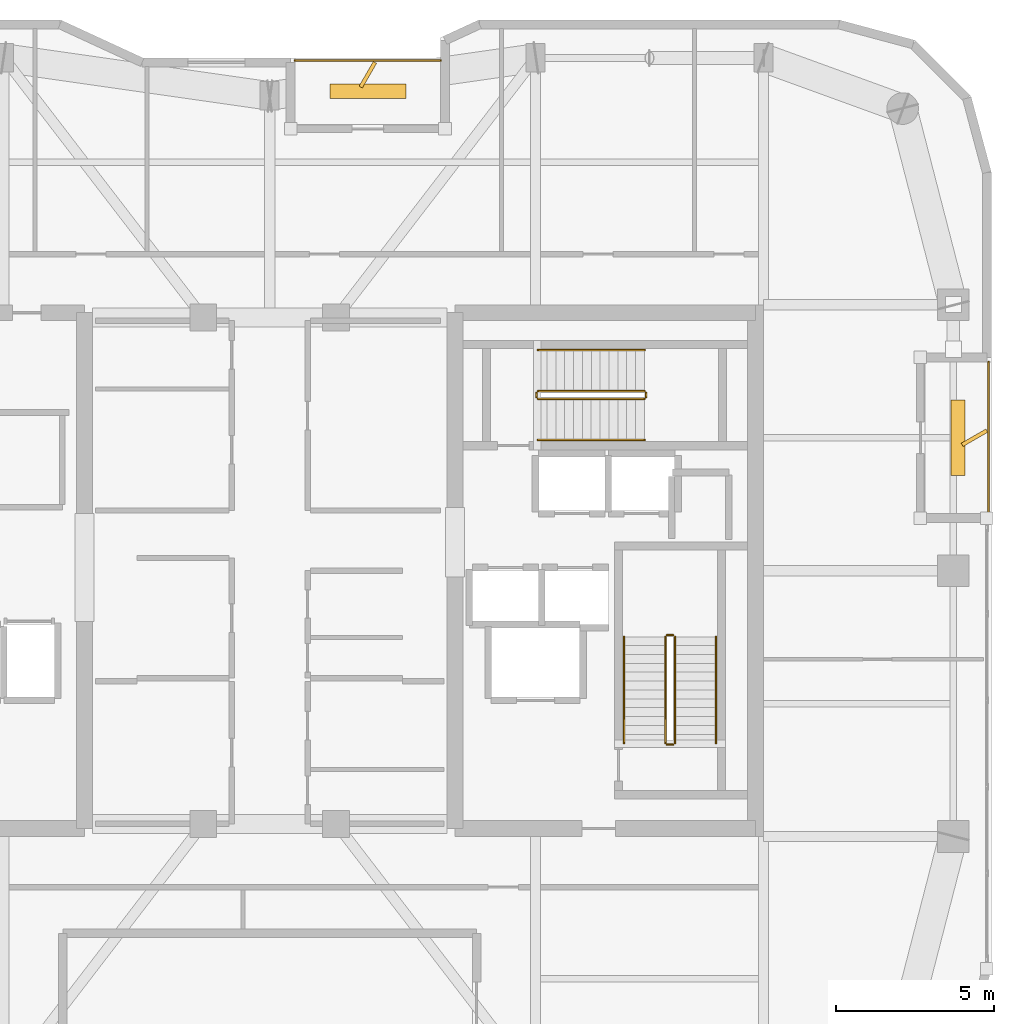
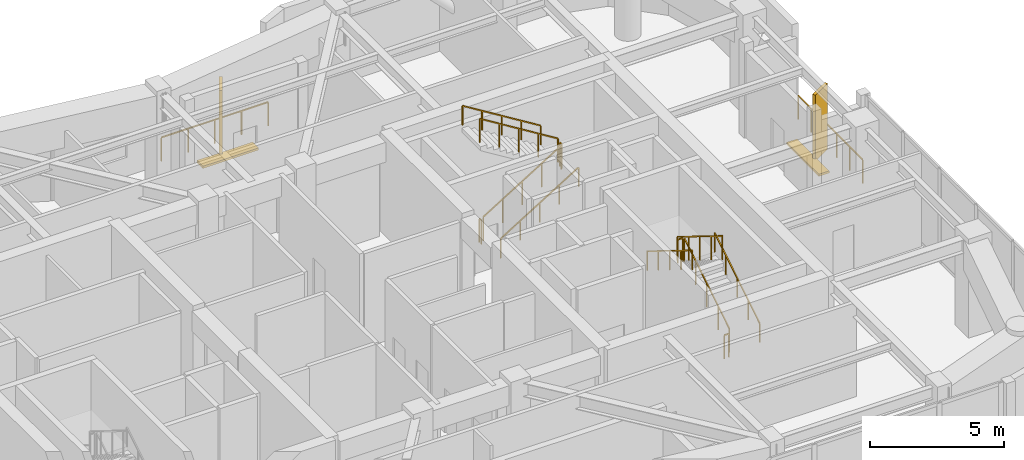
# One storey, part 14 of 14: 14 railings, 4 shading devices.
"""IFC4 building model written with IfcOpenShell, lengths in metres."""

from ifc_helpers import new_model, si_unit, direction, frame, origin, origin_2d, place, context, subcontext, project, spatial, rectangle, extrude, material, type_object, element, save


model = new_model("IFC4")

# Units and contexts
model_context = context("Model", 3, precision=1e-05, world=origin(), true_north=direction((0.0, 1.0)))
body_context = subcontext(model_context, "Body", "Model", "MODEL_VIEW")
ifc_project = project(units=[si_unit("LENGTHUNIT", "METRE"), si_unit("AREAUNIT", "SQUARE_METRE"), si_unit("VOLUMEUNIT", "CUBIC_METRE"), si_unit("PLANEANGLEUNIT", "RADIAN"), si_unit("MASSUNIT", "GRAM", prefix="KILO")], contexts=[model_context])

# Site, building, storey
site_placement = place(None, origin())
site = spatial("IfcSite", under=ifc_project, at=site_placement, CompositionType="ELEMENT")
building_placement = place(site_placement, origin())
building = spatial("IfcBuilding", under=site, at=building_placement, Name="Kiyonajd Concourse Tower", CompositionType="ELEMENT")
storey_placement = place(building_placement, frame((0.0, 0.0, 294.0)))
storey = spatial("IfcBuildingStorey", under=building, at=storey_placement, Name="L74", CompositionType="ELEMENT", Elevation=294.0)

# Railings
ifc_material_1 = material(Name="Thermally Broken Anodised Aluminium", Category="aluminium")
railing_type_1 = type_object("IfcRailingType", Name="RL-GRD-LOG", PredefinedType="GUARDRAIL", material=ifc_material_1)
railing_1_placement = place(storey_placement, frame((53.39990234375, 52.1201171875, 0.0)))
element("IfcRailing", 1, at=railing_1_placement, inside=storey, type_object=railing_type_1, Name="L74 Engawa Loggia Perimeter Guard LOG-N", PredefinedType="GUARDRAIL", context=body_context, shape_type="SweptSolid", body=[
    extrude(rectangle(XDim=0.048095703125, YDim=0.048095703125, at=origin_2d()), frame((0.0, 0.0, 1.076171875), z_axis=(-1.0, 0.0, 0.0), x_axis=(0.0, -1.0, 0.0)), (0.0, 0.0, 1.0), 4.599853515625),
    extrude(rectangle(XDim=0.0419921875, YDim=0.0419921875, at=origin_2d()), origin(), (0.0, 0.0, 1.0), 1.052001953125),
    extrude(rectangle(XDim=0.0419921875, YDim=0.0419921875, at=origin_2d()), frame((-1.14990234375, 0.0, 0.0)), (0.0, 0.0, 1.0), 1.052001953125),
    extrude(rectangle(XDim=0.0419921875, YDim=0.0419921875, at=origin_2d()), frame((-2.2998046875, 0.0, 0.0)), (0.0, 0.0, 1.0), 1.052001953125),
    extrude(rectangle(XDim=0.0419921875, YDim=0.0419921875, at=origin_2d()), frame((-3.449951171875, 0.0, 0.0)), (0.0, 0.0, 1.0), 1.052001953125),
    extrude(rectangle(XDim=0.0419921875, YDim=0.0419921875, at=origin_2d()), frame((-4.599853515625, 0.0, 0.0)), (0.0, 0.0, 1.0), 1.052001953125),
])
railing_2_placement = place(storey_placement, frame((70.719970703125, 37.800048828125, 0.0)))
element("IfcRailing", 2, at=railing_2_placement, inside=storey, type_object=railing_type_1, Name="L74 Engawa Loggia Perimeter Guard LOG-E", PredefinedType="GUARDRAIL", context=body_context, shape_type="SweptSolid", body=[
    extrude(rectangle(XDim=0.048095703125, YDim=0.048095703125, at=origin_2d()), frame((0.0, 0.0, 1.076171875), z_axis=(0.0, 1.0, 0.0), x_axis=(-1.0, 0.0, 0.0)), (0.0, 0.0, 1.0), 4.800048828125),
    extrude(rectangle(XDim=0.0419921875, YDim=0.0419921875, at=origin_2d()), origin(), (0.0, 0.0, 1.0), 1.052001953125),
    extrude(rectangle(XDim=0.0419921875, YDim=0.0419921875, at=origin_2d()), frame((0.0, 0.9599609375, 0.0)), (0.0, 0.0, 1.0), 1.052001953125),
    extrude(rectangle(XDim=0.0419921875, YDim=0.0419921875, at=origin_2d()), frame((0.0, 1.919921875, 0.0)), (0.0, 0.0, 1.0), 1.052001953125),
    extrude(rectangle(XDim=0.0419921875, YDim=0.0419921875, at=origin_2d()), frame((0.0, 2.880126953125, 0.0)), (0.0, 0.0, 1.0), 1.052001953125),
    extrude(rectangle(XDim=0.0419921875, YDim=0.0419921875, at=origin_2d()), frame((0.0, 3.840087890625, 0.0)), (0.0, 0.0, 1.0), 1.052001953125),
    extrude(rectangle(XDim=0.0419921875, YDim=0.0419921875, at=origin_2d()), frame((0.0, 4.800048828125, 0.0)), (0.0, 0.0, 1.0), 1.052001953125),
])
ifc_material_2 = material(Name="Steel ASTM A500 Grade C", Category="steel")
railing_type_2 = type_object("IfcRailingType", Name="RL-GRD-STR", PredefinedType="GUARDRAIL", material=ifc_material_2)
railing_3_placement = place(storey_placement, frame((60.800048828125, 30.550048828125, 0.173095703125)))
element("IfcRailing", 3, at=railing_3_placement, inside=storey, type_object=railing_type_2, Name="L74 ST2 stair guard 1", PredefinedType="GUARDRAIL", context=body_context, shape_type="SweptSolid", body=[
    extrude(rectangle(XDim=0.048095703125, YDim=0.048095703125, at=origin_2d()), frame((0.0, 0.0, 1.076171875), z_axis=(0.0, 0.850606129759, 0.525803396734), x_axis=(-1.0, 0.0, 0.0)), (0.0, 0.0, 1.0), 3.949951171875),
    extrude(rectangle(XDim=0.0419921875, YDim=0.0419921875, at=origin_2d()), origin(), (0.0, 0.0, 1.0), 1.052001953125),
    extrude(rectangle(XDim=0.0419921875, YDim=0.0419921875, at=origin_2d()), frame((0.0, 0.83984375, 0.519287109375)), (0.0, 0.0, 1.0), 1.052001953125),
    extrude(rectangle(XDim=0.0419921875, YDim=0.0419921875, at=origin_2d()), frame((0.0, 1.679931640625, 1.03857421875)), (0.0, 0.0, 1.0), 1.052001953125),
    extrude(rectangle(XDim=0.0419921875, YDim=0.0419921875, at=origin_2d()), frame((0.0, 2.52001953125, 1.5576171875)), (0.0, 0.0, 1.0), 1.052001953125),
    extrude(rectangle(XDim=0.0419921875, YDim=0.0419921875, at=origin_2d()), frame((0.0, 3.35986328125, 2.076904296875)), (0.0, 0.0, 1.0), 1.052001953125),
])
railing_4_placement = place(storey_placement, frame((60.75, 33.9599609375, 2.25)))
element("IfcRailing", 4, at=railing_4_placement, inside=storey, type_object=railing_type_2, Name="L74 ST2 stair guard 2", PredefinedType="GUARDRAIL", context=body_context, shape_type="SweptSolid", body=[
    extrude(rectangle(XDim=0.048095703125, YDim=0.048095703125, at=origin_2d()), frame((0.0, 0.0, 1.076171875), z_axis=(-1.0, 0.0, 0.0), x_axis=(0.0, -1.0, 0.0)), (0.0, 0.0, 1.0), 0.199951171875),
    extrude(rectangle(XDim=0.0419921875, YDim=0.0419921875, at=origin_2d()), origin(), (0.0, 0.0, 1.0), 1.052001953125),
    extrude(rectangle(XDim=0.0419921875, YDim=0.0419921875, at=origin_2d()), frame((-0.199951171875, 0.0, 0.0)), (0.0, 0.0, 1.0), 1.052001953125),
])
railing_5_placement = place(storey_placement, frame((60.5, 33.909912109375, 2.423095703125)))
element("IfcRailing", 5, at=railing_5_placement, inside=storey, type_object=railing_type_2, Name="L74 ST2 stair guard 3", PredefinedType="GUARDRAIL", context=body_context, shape_type="SweptSolid", body=[
    extrude(rectangle(XDim=0.048095703125, YDim=0.048095703125, at=origin_2d()), frame((0.0, 0.0, 1.076171875), z_axis=(0.0, -0.850606129759, 0.525803396734), x_axis=(1.0, 0.0, 0.0)), (0.0, 0.0, 1.0), 3.949951171875),
    extrude(rectangle(XDim=0.0419921875, YDim=0.0419921875, at=origin_2d()), origin(), (0.0, 0.0, 1.0), 1.052001953125),
    extrude(rectangle(XDim=0.0419921875, YDim=0.0419921875, at=origin_2d()), frame((0.0, -0.83984375, 0.519287109375)), (0.0, 0.0, 1.0), 1.052001953125),
    extrude(rectangle(XDim=0.0419921875, YDim=0.0419921875, at=origin_2d()), frame((0.0, -1.679931640625, 1.03857421875)), (0.0, 0.0, 1.0), 1.052001953125),
    extrude(rectangle(XDim=0.0419921875, YDim=0.0419921875, at=origin_2d()), frame((0.0, -2.52001953125, 1.5576171875)), (0.0, 0.0, 1.0), 1.052001953125),
    extrude(rectangle(XDim=0.0419921875, YDim=0.0419921875, at=origin_2d()), frame((0.0, -3.35986328125, 2.076904296875)), (0.0, 0.0, 1.0), 1.052001953125),
])
railing_6_placement = place(storey_placement, frame((60.75, 30.5, 0.0)))
element("IfcRailing", 6, at=railing_6_placement, inside=storey, type_object=railing_type_2, Name="L74 ST2 stair guard 4", PredefinedType="GUARDRAIL", context=body_context, shape_type="SweptSolid", body=[
    extrude(rectangle(XDim=0.048095703125, YDim=0.048095703125, at=origin_2d()), frame((0.0, 0.0, 1.076171875), z_axis=(-1.0, 0.0, 0.0), x_axis=(0.0, -1.0, 0.0)), (0.0, 0.0, 1.0), 0.199951171875),
    extrude(rectangle(XDim=0.0419921875, YDim=0.0419921875, at=origin_2d()), origin(), (0.0, 0.0, 1.0), 1.052001953125),
    extrude(rectangle(XDim=0.0419921875, YDim=0.0419921875, at=origin_2d()), frame((-0.199951171875, 0.0, 0.0)), (0.0, 0.0, 1.0), 1.052001953125),
])
railing_7_placement = place(storey_placement, frame((56.47998046875, 41.429931640625, 0.173095703125)))
element("IfcRailing", 7, at=railing_7_placement, inside=storey, type_object=railing_type_2, Name="L74 ST3 stair guard 1", PredefinedType="GUARDRAIL", context=body_context, shape_type="SweptSolid", body=[
    extrude(rectangle(XDim=0.048095703125, YDim=0.048095703125, at=origin_2d()), frame((0.0, 0.0, 1.076171875), z_axis=(0.850623216509, 0.0, 0.525775754039), x_axis=(0.0, 1.0, 0.0)), (0.0, 0.0, 1.0), 3.9501953125),
    extrude(rectangle(XDim=0.0419921875, YDim=0.0419921875, at=origin_2d()), origin(), (0.0, 0.0, 1.0), 1.052001953125),
    extrude(rectangle(XDim=0.0419921875, YDim=0.0419921875, at=origin_2d()), frame((0.840087890625, 0.0, 0.519287109375)), (0.0, 0.0, 1.0), 1.052001953125),
    extrude(rectangle(XDim=0.0419921875, YDim=0.0419921875, at=origin_2d()), frame((1.68017578125, 0.0, 1.03857421875)), (0.0, 0.0, 1.0), 1.052001953125),
    extrude(rectangle(XDim=0.0419921875, YDim=0.0419921875, at=origin_2d()), frame((2.52001953125, 0.0, 1.5576171875)), (0.0, 0.0, 1.0), 1.052001953125),
    extrude(rectangle(XDim=0.0419921875, YDim=0.0419921875, at=origin_2d()), frame((3.360107421875, 0.0, 2.076904296875)), (0.0, 0.0, 1.0), 1.052001953125),
])
railing_8_placement = place(storey_placement, frame((59.889892578125, 41.47998046875, 2.25)))
element("IfcRailing", 8, at=railing_8_placement, inside=storey, type_object=railing_type_2, Name="L74 ST3 stair guard 2", PredefinedType="GUARDRAIL", context=body_context, shape_type="SweptSolid", body=[
    extrude(rectangle(XDim=0.048095703125, YDim=0.048095703125, at=origin_2d()), frame((0.0, 0.0, 1.076171875), z_axis=(0.0, 1.0, 0.0), x_axis=(-1.0, 0.0, 0.0)), (0.0, 0.0, 1.0), 0.14013671875),
    extrude(rectangle(XDim=0.0419921875, YDim=0.0419921875, at=origin_2d()), origin(), (0.0, 0.0, 1.0), 1.052001953125),
    extrude(rectangle(XDim=0.0419921875, YDim=0.0419921875, at=origin_2d()), frame((0.0, 0.14013671875, 0.0)), (0.0, 0.0, 1.0), 1.052001953125),
])
railing_9_placement = place(storey_placement, frame((59.840087890625, 41.669921875, 2.423095703125)))
element("IfcRailing", 9, at=railing_9_placement, inside=storey, type_object=railing_type_2, Name="L74 ST3 stair guard 3", PredefinedType="GUARDRAIL", context=body_context, shape_type="SweptSolid", body=[
    extrude(rectangle(XDim=0.048095703125, YDim=0.048095703125, at=origin_2d()), frame((0.0, 0.0, 1.076171875), z_axis=(-0.850623216509, 0.0, 0.525775754039), x_axis=(0.0, -1.0, 0.0)), (0.0, 0.0, 1.0), 3.9501953125),
    extrude(rectangle(XDim=0.0419921875, YDim=0.0419921875, at=origin_2d()), origin(), (0.0, 0.0, 1.0), 1.052001953125),
    extrude(rectangle(XDim=0.0419921875, YDim=0.0419921875, at=origin_2d()), frame((-0.840087890625, 0.0, 0.519287109375)), (0.0, 0.0, 1.0), 1.052001953125),
    extrude(rectangle(XDim=0.0419921875, YDim=0.0419921875, at=origin_2d()), frame((-1.68017578125, 0.0, 1.03857421875)), (0.0, 0.0, 1.0), 1.052001953125),
    extrude(rectangle(XDim=0.0419921875, YDim=0.0419921875, at=origin_2d()), frame((-2.52001953125, 0.0, 1.5576171875)), (0.0, 0.0, 1.0), 1.052001953125),
    extrude(rectangle(XDim=0.0419921875, YDim=0.0419921875, at=origin_2d()), frame((-3.360107421875, 0.0, 2.076904296875)), (0.0, 0.0, 1.0), 1.052001953125),
])
railing_10_placement = place(storey_placement, frame((56.429931640625, 41.47998046875, 0.0)))
element("IfcRailing", 10, at=railing_10_placement, inside=storey, type_object=railing_type_2, Name="L74 ST3 stair guard 4", PredefinedType="GUARDRAIL", context=body_context, shape_type="SweptSolid", body=[
    extrude(rectangle(XDim=0.048095703125, YDim=0.048095703125, at=origin_2d()), frame((0.0, 0.0, 1.076171875), z_axis=(0.0, 1.0, 0.0), x_axis=(-1.0, 0.0, 0.0)), (0.0, 0.0, 1.0), 0.14013671875),
    extrude(rectangle(XDim=0.0419921875, YDim=0.0419921875, at=origin_2d()), origin(), (0.0, 0.0, 1.0), 1.052001953125),
    extrude(rectangle(XDim=0.0419921875, YDim=0.0419921875, at=origin_2d()), frame((0.0, 0.14013671875, 0.0)), (0.0, 0.0, 1.0), 1.052001953125),
])
ifc_material_3 = material(Name="Brushed Stainless Steel Cab Assembly", Category="steel")
railing_type_3 = type_object("IfcRailingType", Name="RL-HND-900", PredefinedType="HANDRAIL", material=ifc_material_3)
railing_11_placement = place(storey_placement, frame((62.10009765625, 30.550048828125, 0.173095703125)))
element("IfcRailing", 11, at=railing_11_placement, inside=storey, type_object=railing_type_3, Name="L74 ST2 stair handrail 1", PredefinedType="HANDRAIL", context=body_context, shape_type="SweptSolid", body=[
    extrude(rectangle(XDim=0.048095703125, YDim=0.048095703125, at=origin_2d()), frame((0.0, 0.0, 0.8759765625), z_axis=(0.0, 0.850606129759, 0.525803396734), x_axis=(-1.0, 0.0, 0.0)), (0.0, 0.0, 1.0), 3.949951171875),
    extrude(rectangle(XDim=0.0419921875, YDim=0.0419921875, at=origin_2d()), origin(), (0.0, 0.0, 1.0), 0.851806640625),
    extrude(rectangle(XDim=0.0419921875, YDim=0.0419921875, at=origin_2d()), frame((0.0, 0.83984375, 0.519287109375)), (0.0, 0.0, 1.0), 0.851806640625),
    extrude(rectangle(XDim=0.0419921875, YDim=0.0419921875, at=origin_2d()), frame((0.0, 1.679931640625, 1.03857421875)), (0.0, 0.0, 1.0), 0.851806640625),
    extrude(rectangle(XDim=0.0419921875, YDim=0.0419921875, at=origin_2d()), frame((0.0, 2.52001953125, 1.5576171875)), (0.0, 0.0, 1.0), 0.851806640625),
    extrude(rectangle(XDim=0.0419921875, YDim=0.0419921875, at=origin_2d()), frame((0.0, 3.35986328125, 2.076904296875)), (0.0, 0.0, 1.0), 0.851806640625),
])
railing_12_placement = place(storey_placement, frame((59.199951171875, 33.909912109375, 2.423095703125)))
element("IfcRailing", 12, at=railing_12_placement, inside=storey, type_object=railing_type_3, Name="L74 ST2 stair handrail 2", PredefinedType="HANDRAIL", context=body_context, shape_type="SweptSolid", body=[
    extrude(rectangle(XDim=0.048095703125, YDim=0.048095703125, at=origin_2d()), frame((0.0, 0.0, 0.8759765625), z_axis=(0.0, -0.850606129759, 0.525803396734), x_axis=(1.0, 0.0, 0.0)), (0.0, 0.0, 1.0), 3.949951171875),
    extrude(rectangle(XDim=0.0419921875, YDim=0.0419921875, at=origin_2d()), origin(), (0.0, 0.0, 1.0), 0.851806640625),
    extrude(rectangle(XDim=0.0419921875, YDim=0.0419921875, at=origin_2d()), frame((0.0, -0.83984375, 0.519287109375)), (0.0, 0.0, 1.0), 0.851806640625),
    extrude(rectangle(XDim=0.0419921875, YDim=0.0419921875, at=origin_2d()), frame((0.0, -1.679931640625, 1.03857421875)), (0.0, 0.0, 1.0), 0.851806640625),
    extrude(rectangle(XDim=0.0419921875, YDim=0.0419921875, at=origin_2d()), frame((0.0, -2.52001953125, 1.5576171875)), (0.0, 0.0, 1.0), 0.851806640625),
    extrude(rectangle(XDim=0.0419921875, YDim=0.0419921875, at=origin_2d()), frame((0.0, -3.35986328125, 2.076904296875)), (0.0, 0.0, 1.0), 0.851806640625),
])
railing_13_placement = place(storey_placement, frame((56.47998046875, 40.1298828125, 0.173095703125)))
element("IfcRailing", 13, at=railing_13_placement, inside=storey, type_object=railing_type_3, Name="L74 ST3 stair handrail 1", PredefinedType="HANDRAIL", context=body_context, shape_type="SweptSolid", body=[
    extrude(rectangle(XDim=0.048095703125, YDim=0.048095703125, at=origin_2d()), frame((0.0, 0.0, 0.8759765625), z_axis=(0.850623216509, 0.0, 0.525775754039), x_axis=(0.0, 1.0, 0.0)), (0.0, 0.0, 1.0), 3.9501953125),
    extrude(rectangle(XDim=0.0419921875, YDim=0.0419921875, at=origin_2d()), origin(), (0.0, 0.0, 1.0), 0.851806640625),
    extrude(rectangle(XDim=0.0419921875, YDim=0.0419921875, at=origin_2d()), frame((0.840087890625, 0.0, 0.519287109375)), (0.0, 0.0, 1.0), 0.851806640625),
    extrude(rectangle(XDim=0.0419921875, YDim=0.0419921875, at=origin_2d()), frame((1.68017578125, 0.0, 1.03857421875)), (0.0, 0.0, 1.0), 0.851806640625),
    extrude(rectangle(XDim=0.0419921875, YDim=0.0419921875, at=origin_2d()), frame((2.52001953125, 0.0, 1.5576171875)), (0.0, 0.0, 1.0), 0.851806640625),
    extrude(rectangle(XDim=0.0419921875, YDim=0.0419921875, at=origin_2d()), frame((3.360107421875, 0.0, 2.076904296875)), (0.0, 0.0, 1.0), 0.851806640625),
])
railing_14_placement = place(storey_placement, frame((59.840087890625, 42.969970703125, 2.423095703125)))
element("IfcRailing", 14, at=railing_14_placement, inside=storey, type_object=railing_type_3, Name="L74 ST3 stair handrail 2", PredefinedType="HANDRAIL", context=body_context, shape_type="SweptSolid", body=[
    extrude(rectangle(XDim=0.048095703125, YDim=0.048095703125, at=origin_2d()), frame((0.0, 0.0, 0.8759765625), z_axis=(-0.850623216509, 0.0, 0.525775754039), x_axis=(0.0, -1.0, 0.0)), (0.0, 0.0, 1.0), 3.9501953125),
    extrude(rectangle(XDim=0.0419921875, YDim=0.0419921875, at=origin_2d()), origin(), (0.0, 0.0, 1.0), 0.851806640625),
    extrude(rectangle(XDim=0.0419921875, YDim=0.0419921875, at=origin_2d()), frame((-0.840087890625, 0.0, 0.519287109375)), (0.0, 0.0, 1.0), 0.851806640625),
    extrude(rectangle(XDim=0.0419921875, YDim=0.0419921875, at=origin_2d()), frame((-1.68017578125, 0.0, 1.03857421875)), (0.0, 0.0, 1.0), 0.851806640625),
    extrude(rectangle(XDim=0.0419921875, YDim=0.0419921875, at=origin_2d()), frame((-2.52001953125, 0.0, 1.5576171875)), (0.0, 0.0, 1.0), 0.851806640625),
    extrude(rectangle(XDim=0.0419921875, YDim=0.0419921875, at=origin_2d()), frame((-3.360107421875, 0.0, 2.076904296875)), (0.0, 0.0, 1.0), 0.851806640625),
])

# Shading devices
ifc_material_4 = material(Name="Precast concrete C50/60", Category="concrete")
shading_device_type_1 = type_object("IfcShadingDeviceType", Name="SH-FIN-900", PredefinedType="USERDEFINED", material=ifc_material_4)
for number, where, z_axis, x_axis, name in (
    (15, (51.10009765625, 51.669921875, 0.0), (0.0, 0.0, 1.0), (0.5, 0.866025403784, 0.0), "L74 Angled Koshi Solar Fin LOG-N"),
    (16, (70.27001953125, 40.199951171875, 0.0), (0.0, 0.0, 1.0), (0.866025403784, 0.5, 0.0), "L74 Angled Koshi Solar Fin LOG-E"),
):
    element("IfcShadingDevice", number, at=place(storey_placement, frame(where, z_axis=z_axis, x_axis=x_axis)), inside=storey, type_object=shading_device_type_1, Name=name, ObjectType="FIN", PredefinedType="USERDEFINED", context=body_context, shape_type="SweptSolid", body=[
        extrude(rectangle(XDim=0.89990234375, YDim=0.1201171875, at=origin_2d()), origin(), (0.0, 0.0, 1.0), 3.0),
    ])
shading_device_type_2 = type_object("IfcShadingDeviceType", Name="SH-LVR-600", PredefinedType="JALOUSIE", material=ifc_material_1)
for number, where, z_axis, x_axis, name in (
    (17, (51.10009765625, 51.14990234375, 0.0), (0.0, 0.0, 1.0), (1.0, 0.0, 0.0), "L74 Loggia Threshold Louver LOG-N"),
    (18, (69.75, 40.199951171875, 0.0), (0.0, 0.0, 1.0), (0.0, 1.0, 0.0), "L74 Loggia Threshold Louver LOG-E"),
):
    element("IfcShadingDevice", number, at=place(storey_placement, frame(where, z_axis=z_axis, x_axis=x_axis)), inside=storey, type_object=shading_device_type_2, Name=name, PredefinedType="JALOUSIE", context=body_context, shape_type="SweptSolid", body=[
        extrude(rectangle(XDim=2.39990234375, YDim=0.449951171875, at=origin_2d()), origin(), (0.0, 0.0, 1.0), 0.10009765625),
    ])

save(model, "model.ifc")
